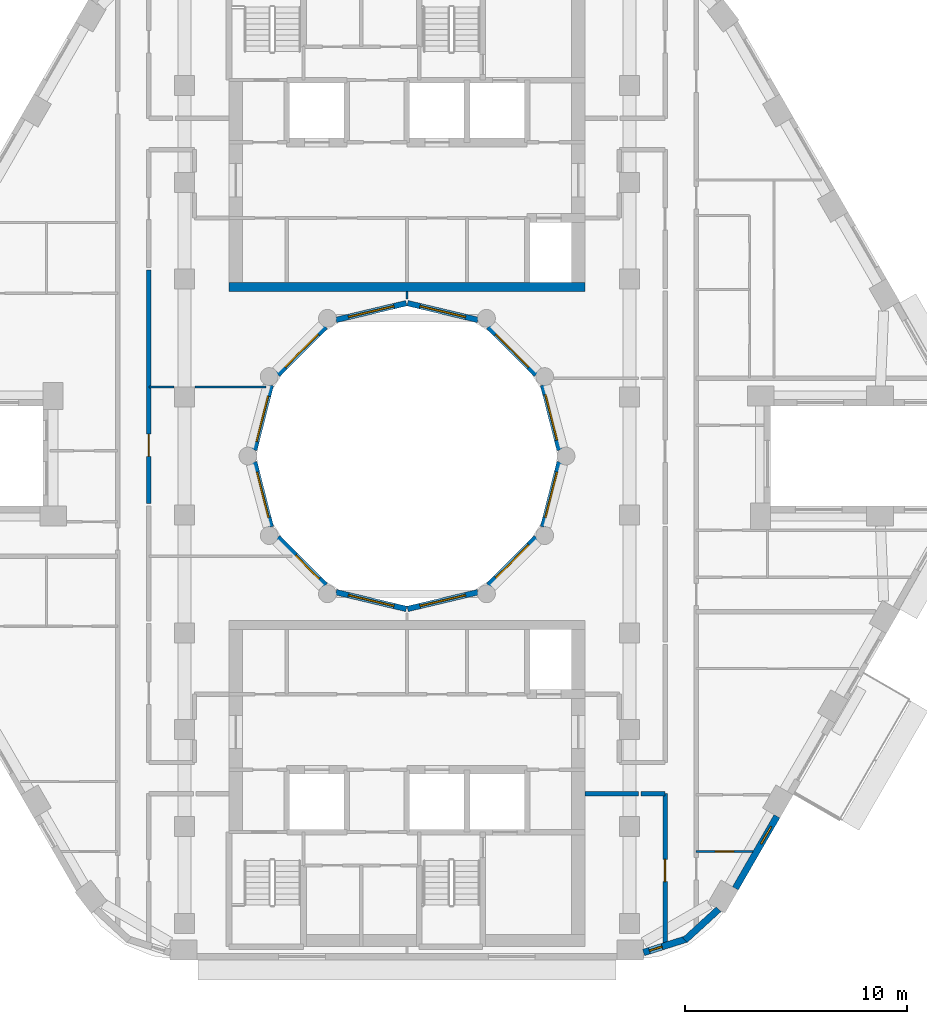
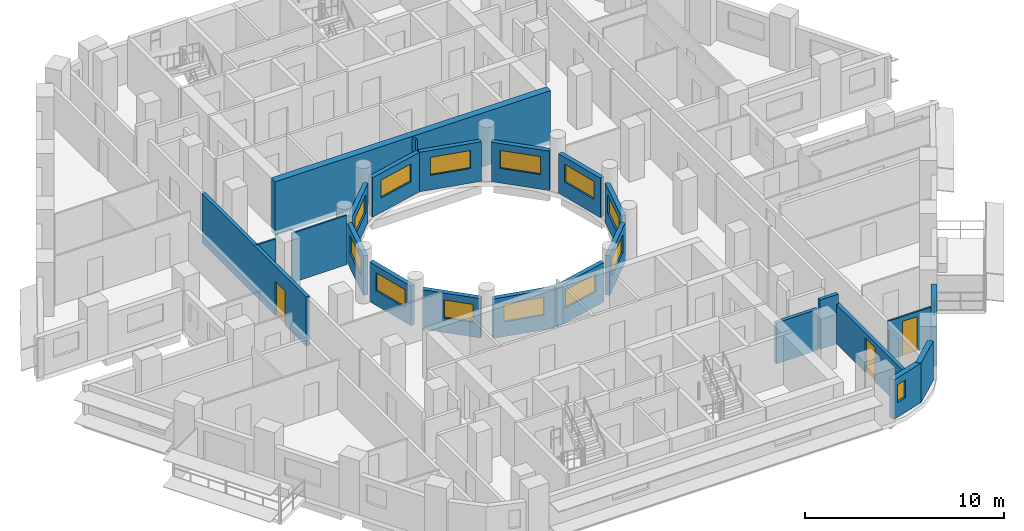
# One storey, part 5 of 16: 24 walls, 14 windows, 3 doors, 17 openings.
"""IFC4 building model written with IfcOpenShell, lengths in metres."""

from ifc_helpers import new_model, si_unit, direction, frame, frame_2d, origin, place, context, subcontext, project, spatial, rectangle, extrude, material, layer, layer_set, type_object, element, fill, save


model = new_model("IFC4")

# Units and contexts
model_context = context("Model", 3, precision=1e-05, world=origin(), true_north=direction((0.0, 1.0)))
body_context = subcontext(model_context, "Body", "Model", "MODEL_VIEW")
ifc_project = project(units=[si_unit("LENGTHUNIT", "METRE"), si_unit("AREAUNIT", "SQUARE_METRE"), si_unit("VOLUMEUNIT", "CUBIC_METRE"), si_unit("PLANEANGLEUNIT", "RADIAN"), si_unit("MASSUNIT", "GRAM", prefix="KILO")], contexts=[model_context])

# Site, building, storey
site_placement = place(None, origin())
site = spatial("IfcSite", under=ifc_project, at=site_placement, CompositionType="ELEMENT")
building_placement = place(site_placement, origin())
building = spatial("IfcBuilding", under=site, at=building_placement, Name="Nakaniwa Court", CompositionType="ELEMENT")
storey_placement = place(building_placement, frame((0.0, 0.0, 196.5)))
storey = spatial("IfcBuildingStorey", under=building, at=storey_placement, Name="L51", CompositionType="ELEMENT", Elevation=196.5)

# Wall, opening, door
ifc_material_1 = material(Name="Acoustic double stud partition")
ifc_layer_1 = layer(ifc_material_1, 0.199951171875)
ifc_layer_set_1 = layer_set([ifc_layer_1], Name="Acoustic double stud partition")
wall_type_1 = type_object("IfcWallType", Name="Acoustic double stud partition 200", PredefinedType="PARTITIONING", material=ifc_layer_set_1)
wall_1_placement = place(storey_placement, frame((91.60009765625, 57.92626953125, 0.0), z_axis=(0.0, 0.0, 1.0), x_axis=(0.0, 1.0, 0.0)))
wall_1 = element("IfcWall", 1, at=wall_1_placement, inside=storey, type_object=wall_type_1, Name="Partition PW-069", PredefinedType="PARTITIONING", context=body_context, shape_type="SweptSolid", body=[
    extrude(rectangle(XDim=6.898681640625, YDim=0.199951171875, at=frame_2d((3.44921875, 0.0))), origin(), (0.0, 0.0, 1.0), 2.405029296875),
])
opening_1_placement = place(wall_1_placement, frame((2.948974609375, 0.0, 0.0)))
opening_1 = element("IfcOpeningElement", 2, at=opening_1_placement, cuts=wall_1, Name="Opening D-02-01", PredefinedType="OPENING", context=body_context, shape_type="SweptSolid", body=[
    extrude(rectangle(XDim=1.0, YDim=2.10009765625, at=frame_2d((0.5, 1.050048828125))), frame((0.0, 0.10986328125, 0.0), z_axis=(0.0, -1.0, 0.0), x_axis=(1.0, 0.0, 0.0)), (0.0, 0.0, 1.0), 0.219970703125),
])
ifc_material_2 = material(Name="Solid core timber door set, black veneer", Category="wood")
door_type_1 = type_object("IfcDoorType", Name="Internal door 1000", OperationType="NOTDEFINED", PredefinedType="DOOR", material=ifc_material_2)
door_1_placement = place(opening_1_placement, origin())
door_1 = element("IfcDoor", 3, at=door_1_placement, inside=storey, type_object=door_type_1, Name="Door D-02-01 L51-025", OperationType="SINGLE_SWING_RIGHT", OverallHeight=2.10009765625, OverallWidth=1.0, PredefinedType="DOOR", context=body_context, shape_type="SweptSolid", body=[
    extrude(rectangle(XDim=1.0, YDim=2.10009765625, at=frame_2d((0.5, 1.050048828125))), frame((0.0, 0.02490234375, 0.0), z_axis=(0.0, -1.0, 0.0), x_axis=(1.0, 0.0, 0.0)), (0.0, 0.0, 1.0), 0.050048828125),
])
fill(opening_1, door_1)

# Walls
wall_2_placement = place(storey_placement, frame((88.0, 64.824951171875, 0.0), z_axis=(0.0, 0.0, 1.0), x_axis=(1.0, 0.0, 0.0)))
element("IfcWall", 4, at=wall_2_placement, inside=storey, type_object=wall_type_1, Name="Partition PW-077", PredefinedType="PARTITIONING", context=body_context, shape_type="SweptSolid", body=[
    extrude(rectangle(XDim=2.412841796875, YDim=0.199951171875, at=frame_2d((1.20654296875, 0.0))), origin(), (0.0, 0.0, 1.0), 2.5048828125),
])
wall_3_placement = place(storey_placement, frame((90.527099609375, 64.824951171875, 0.0), z_axis=(0.0, 0.0, 1.0), x_axis=(1.0, 0.0, 0.0)))
element("IfcWall", 5, at=wall_3_placement, inside=storey, type_object=wall_type_1, Name="Partition PW-078", PredefinedType="PARTITIONING", context=body_context, shape_type="SweptSolid", body=[
    extrude(rectangle(XDim=1.072998046875, YDim=0.199951171875, at=frame_2d((0.53662109375, 0.0))), origin(), (0.0, 0.0, 1.0), 3.02490234375),
])

# Wall, opening, door
wall_4_placement = place(storey_placement, frame((68.39990234375, 88.36279296875, 0.0), z_axis=(0.0, 0.0, 1.0), x_axis=(0.0, -1.0, 0.0)))
wall_4 = element("IfcWall", 6, at=wall_4_placement, inside=storey, type_object=wall_type_1, Name="Partition PW-099", PredefinedType="PARTITIONING", context=body_context, shape_type="SweptSolid", body=[
    extrude(rectangle(XDim=10.485595703125, YDim=0.199951171875, at=frame_2d((5.24267578125, 0.0))), origin(), (0.0, 0.0, 1.0), 3.02490234375),
])
opening_2_placement = place(wall_4_placement, frame((7.373046875, 0.0, 0.0)))
opening_2 = element("IfcOpeningElement", 7, at=opening_2_placement, cuts=wall_4, Name="Opening D-02-09", PredefinedType="OPENING", context=body_context, shape_type="SweptSolid", body=[
    extrude(rectangle(XDim=1.0, YDim=2.10009765625, at=frame_2d((0.5, 1.050048828125))), frame((0.0, 0.10986328125, 0.0), z_axis=(0.0, -1.0, 0.0), x_axis=(1.0, 0.0, 0.0)), (0.0, 0.0, 1.0), 0.219970703125),
])
door_2_placement = place(opening_2_placement, origin())
door_2 = element("IfcDoor", 8, at=door_2_placement, inside=storey, type_object=door_type_1, Name="Door D-02-09 L51-056", OperationType="SINGLE_SWING_LEFT", OverallHeight=2.10009765625, OverallWidth=1.0, PredefinedType="DOOR", context=body_context, shape_type="SweptSolid", body=[
    extrude(rectangle(XDim=1.0, YDim=2.10009765625, at=frame_2d((0.5, 1.050048828125))), frame((0.0, 0.02490234375, 0.0), z_axis=(0.0, -1.0, 0.0), x_axis=(1.0, 0.0, 0.0)), (0.0, 0.0, 1.0), 0.050048828125),
])
fill(opening_2, door_2)

# Wall, opening, window
ifc_material_3 = material(Name="Charcoal ceramic cladding")
ifc_layer_2 = layer(ifc_material_3, 0.02, Name="Ceramic cladding")
ifc_material_4 = material(Name="Ventilated air cavity")
ifc_layer_3 = layer(ifc_material_4, 0.04, ventilated=True, Name="Ventilated cavity")
ifc_material_5 = material(Name="Mineral wool insulation")
ifc_layer_4 = layer(ifc_material_5, 0.1, Name="Insulation")
ifc_material_6 = material(Name="Cement bonded sheathing board")
ifc_layer_5 = layer(ifc_material_6, 0.012, Name="Sheathing")
ifc_material_7 = material(Name="Cold-formed galvanised stud frame with mineral wool infill")
ifc_layer_6 = layer(ifc_material_7, 0.1, Name="Stud frame")
ifc_material_8 = material(Name="Fire-rated gypsum plasterboard lining")
ifc_layer_7 = layer(ifc_material_8, 0.028, Name="Lining")
ifc_layer_set_2 = layer_set([ifc_layer_2, ifc_layer_3, ifc_layer_4, ifc_layer_5, ifc_layer_6, ifc_layer_7], Name="Charcoal ceramic faced external wall system")
wall_type_2 = type_object("IfcWallType", Name="Black ceramic faced external wall 300", PredefinedType="SOLIDWALL", material=ifc_layer_set_2)
wall_5_placement = place(storey_placement, frame((90.6357421875, 57.684814453125, 0.0), z_axis=(0.0, 0.0, 1.0), x_axis=(0.95368324118, 0.300812691707, 0.0)))
wall_5 = element("IfcWall", 9, at=wall_5_placement, inside=storey, type_object=wall_type_2, Name="L51 external wall 27", PredefinedType="SOLIDWALL", context=body_context, shape_type="SweptSolid", body=[
    extrude(rectangle(XDim=2.053466796875, YDim=0.300048828125, at=frame_2d((1.02685546875, 0.0))), origin(), (0.0, 0.0, 1.0), 2.425048828125),
])
opening_3_placement = place(wall_5_placement, frame((0.271240234375, 0.0, 0.89990234375)))
opening_3 = element("IfcOpeningElement", 10, at=opening_3_placement, cuts=wall_5, Name="Opening W8.28", PredefinedType="OPENING", context=body_context, shape_type="SweptSolid", body=[
    extrude(rectangle(XDim=0.60009765625, YDim=1.10009765625, at=frame_2d((0.300048828125, 0.550048828125))), frame((0.0, 0.159912109375, 0.0), z_axis=(0.0, -1.0, 0.0), x_axis=(1.0, 0.0, 0.0)), (0.0, 0.0, 1.0), 0.320068359375),
])
ifc_material_9 = material(Name="Black anodised aluminium frame with dark low-E laminated double glazing", Category="aluminium")
window_type_1 = type_object("IfcWindowType", Name="Dark glass window 600x1100 sill 900", PartitioningType="SINGLE_PANEL", PredefinedType="WINDOW", material=ifc_material_9)
window_1_placement = place(opening_3_placement, origin())
window_1 = element("IfcWindow", 11, at=window_1_placement, inside=storey, type_object=window_type_1, Name="L51 habitable room window 27-0", OverallHeight=1.10009765625, OverallWidth=0.60009765625, PartitioningType="SINGLE_PANEL", PredefinedType="WINDOW", context=body_context, shape_type="SweptSolid", body=[
    extrude(rectangle(XDim=0.60009765625, YDim=1.10009765625, at=frame_2d((0.300048828125, 0.550048828125))), frame((0.0, 0.030029296875, 0.0), z_axis=(0.0, -1.0, 0.0), x_axis=(1.0, 0.0, 0.0)), (0.0, 0.0, 1.0), 0.06005859375),
])
fill(opening_3, window_1)

# Wall
wall_6_placement = place(storey_placement, frame((92.494140625, 58.243896484375, 0.0), z_axis=(0.0, 0.0, 1.0), x_axis=(0.73764876128, 0.675184645102, 0.0)))
element("IfcWall", 12, at=wall_6_placement, inside=storey, type_object=wall_type_2, Name="L51 external wall 28", PredefinedType="SOLIDWALL", context=body_context, shape_type="SweptSolid", body=[
    extrude(rectangle(XDim=2.048095703125, YDim=0.300048828125, at=frame_2d((1.02392578125, 0.0))), origin(), (0.0, 0.0, 1.0), 2.425048828125),
])

# Wall, opening, window
wall_7_placement = place(storey_placement, frame((94.760986328125, 60.566650390625, 0.0), z_axis=(0.0, 0.0, 1.0), x_axis=(0.499982088007, 0.866035745032, 0.0)))
wall_7 = element("IfcWall", 13, at=wall_7_placement, inside=storey, type_object=wall_type_2, Name="L51 external wall 29", PredefinedType="SOLIDWALL", context=body_context, shape_type="SweptSolid", body=[
    extrude(rectangle(XDim=3.744384765625, YDim=0.300048828125, at=frame_2d((1.8720703125, 0.0))), origin(), (0.0, 0.0, 1.0), 2.425048828125),
])
opening_4_placement = place(wall_7_placement, frame((2.318603515625, 0.0, 1.5)))
opening_4 = element("IfcOpeningElement", 14, at=opening_4_placement, cuts=wall_7, Name="Opening W10.29", PredefinedType="OPENING", context=body_context, shape_type="SweptSolid", body=[
    extrude(rectangle(XDim=0.89990234375, YDim=0.5, at=frame_2d((0.449951171875, 0.25))), frame((0.0, 0.159912109375, 0.0), z_axis=(0.0, -1.0, 0.0), x_axis=(1.0, 0.0, 0.0)), (0.0, 0.0, 1.0), 0.320068359375),
])
window_type_2 = type_object("IfcWindowType", Name="Dark glass window 900x500 sill 1500", PartitioningType="SINGLE_PANEL", PredefinedType="WINDOW", material=ifc_material_9)
window_2_placement = place(opening_4_placement, origin())
window_2 = element("IfcWindow", 15, at=window_2_placement, inside=storey, type_object=window_type_2, Name="L51 bathroom window 29-1", OverallHeight=0.5, OverallWidth=0.89990234375, PartitioningType="SINGLE_PANEL", PredefinedType="WINDOW", context=body_context, shape_type="SweptSolid", body=[
    extrude(rectangle(XDim=0.89990234375, YDim=0.5, at=frame_2d((0.449951171875, 0.25))), frame((0.0, 0.030029296875, 0.0), z_axis=(0.0, -1.0, 0.0), x_axis=(1.0, 0.0, 0.0)), (0.0, 0.0, 1.0), 0.06005859375),
])
fill(opening_4, window_2)

ifc_layer_8 = layer(ifc_material_3, 0.02, Name="Ceramic cladding")
ifc_layer_9 = layer(ifc_material_4, 0.04, ventilated=True, Name="Ventilated cavity")
ifc_layer_10 = layer(ifc_material_5, 0.075, Name="Insulation")
ifc_layer_11 = layer(ifc_material_6, 0.012, Name="Sheathing")
ifc_layer_12 = layer(ifc_material_7, 0.075, Name="Stud frame")
ifc_layer_13 = layer(ifc_material_8, 0.028, Name="Lining")
ifc_layer_set_3 = layer_set([ifc_layer_8, ifc_layer_9, ifc_layer_10, ifc_layer_11, ifc_layer_12, ifc_layer_13], Name="Charcoal ceramic faced external wall system")
wall_type_3 = type_object("IfcWallType", Name="Charcoal ceramic faced well wall 250", PredefinedType="SOLIDWALL", material=ifc_layer_set_3)
wall_8_placement = place(storey_placement, frame((86.8603515625, 79.72998046875, 0.0), z_axis=(0.0, 0.0, 1.0), x_axis=(-0.247055971283, -0.969001211069, 0.0)))
wall_8 = element("IfcWall", 16, at=wall_8_placement, inside=storey, type_object=wall_type_3, Name="L51 external wall 36", PredefinedType="SOLIDWALL", context=body_context, shape_type="SweptSolid", body=[
    extrude(rectangle(XDim=3.010009765625, YDim=0.25, at=frame_2d((1.5048828125, 0.0))), origin(), (0.0, 0.0, 1.0), 2.425048828125),
])
opening_5_placement = place(wall_8_placement, frame((0.46875, 0.0, 0.89990234375)))
opening_5 = element("IfcOpeningElement", 17, at=opening_5_placement, cuts=wall_8, Name="Opening W7.36", PredefinedType="OPENING", context=body_context, shape_type="SweptSolid", body=[
    extrude(rectangle(XDim=2.10009765625, YDim=1.10009765625, at=frame_2d((1.050048828125, 0.550048828125))), frame((0.0, 0.135009765625, 0.0), z_axis=(0.0, -1.0, 0.0), x_axis=(1.0, 0.0, 0.0)), (0.0, 0.0, 1.0), 0.27001953125),
])
window_type_3 = type_object("IfcWindowType", Name="Dark glass window 2100x1100 sill 900", PartitioningType="SINGLE_PANEL", PredefinedType="WINDOW", material=ifc_material_9)
window_3_placement = place(opening_5_placement, origin())
window_3 = element("IfcWindow", 18, at=window_3_placement, inside=storey, type_object=window_type_3, Name="L51 habitable room window 36-0", OverallHeight=1.10009765625, OverallWidth=2.10009765625, PartitioningType="SINGLE_PANEL", PredefinedType="WINDOW", context=body_context, shape_type="SweptSolid", body=[
    extrude(rectangle(XDim=2.10009765625, YDim=1.10009765625, at=frame_2d((1.050048828125, 0.550048828125))), frame((0.0, 0.030029296875, 0.0), z_axis=(0.0, -1.0, 0.0), x_axis=(1.0, 0.0, 0.0)), (0.0, 0.0, 1.0), 0.06005859375),
])
fill(opening_5, window_3)

wall_9_placement = place(storey_placement, frame((85.8056640625, 76.339111328125, 0.0), z_axis=(0.0, 0.0, 1.0), x_axis=(-0.707106781187, -0.707106781187, 0.0)))
wall_9 = element("IfcWall", 19, at=wall_9_placement, inside=storey, type_object=wall_type_3, Name="L51 external wall 37", PredefinedType="SOLIDWALL", context=body_context, shape_type="SweptSolid", body=[
    extrude(rectangle(XDim=3.033203125, YDim=0.25, at=frame_2d((1.5166015625, 0.0))), origin(), (0.0, 0.0, 1.0), 2.425048828125),
])
opening_6_placement = place(wall_9_placement, frame((0.466552734375, 0.0, 0.89990234375)))
opening_6 = element("IfcOpeningElement", 20, at=opening_6_placement, cuts=wall_9, Name="Opening W7.37", PredefinedType="OPENING", context=body_context, shape_type="SweptSolid", body=[
    extrude(rectangle(XDim=2.10009765625, YDim=1.10009765625, at=frame_2d((1.050048828125, 0.550048828125))), frame((0.0, 0.135009765625, 0.0), z_axis=(0.0, -1.0, 0.0), x_axis=(1.0, 0.0, 0.0)), (0.0, 0.0, 1.0), 0.27001953125),
])
window_4_placement = place(opening_6_placement, origin())
window_4 = element("IfcWindow", 21, at=window_4_placement, inside=storey, type_object=window_type_3, Name="L51 habitable room window 37-0", OverallHeight=1.10009765625, OverallWidth=2.10009765625, PartitioningType="SINGLE_PANEL", PredefinedType="WINDOW", context=body_context, shape_type="SweptSolid", body=[
    extrude(rectangle(XDim=2.10009765625, YDim=1.10009765625, at=frame_2d((1.050048828125, 0.550048828125))), frame((0.0, 0.030029296875, 0.0), z_axis=(0.0, -1.0, 0.0), x_axis=(1.0, 0.0, 0.0)), (0.0, 0.0, 1.0), 0.06005859375),
])
fill(opening_6, window_4)

wall_10_placement = place(storey_placement, frame((83.186279296875, 73.880615234375, 0.0), z_axis=(0.0, 0.0, 1.0), x_axis=(-0.972773113459, -0.231759508395, 0.0)))
wall_10 = element("IfcWall", 22, at=wall_10_placement, inside=storey, type_object=wall_type_3, Name="L51 external wall 38", PredefinedType="SOLIDWALL", context=body_context, shape_type="SweptSolid", body=[
    extrude(rectangle(XDim=3.24560546875, YDim=0.25, at=frame_2d((1.622802734375, 0.0))), origin(), (0.0, 0.0, 1.0), 2.425048828125),
])
opening_7_placement = place(wall_10_placement, frame((0.57275390625, 0.0, 0.89990234375)))
opening_7 = element("IfcOpeningElement", 23, at=opening_7_placement, cuts=wall_10, Name="Opening W7.38", PredefinedType="OPENING", context=body_context, shape_type="SweptSolid", body=[
    extrude(rectangle(XDim=2.10009765625, YDim=1.10009765625, at=frame_2d((1.050048828125, 0.550048828125))), frame((0.0, 0.135009765625, 0.0), z_axis=(0.0, -1.0, 0.0), x_axis=(1.0, 0.0, 0.0)), (0.0, 0.0, 1.0), 0.27001953125),
])
window_5_placement = place(opening_7_placement, origin())
window_5 = element("IfcWindow", 24, at=window_5_placement, inside=storey, type_object=window_type_3, Name="L51 habitable room window 38-0", OverallHeight=1.10009765625, OverallWidth=2.10009765625, PartitioningType="SINGLE_PANEL", PredefinedType="WINDOW", context=body_context, shape_type="SweptSolid", body=[
    extrude(rectangle(XDim=2.10009765625, YDim=1.10009765625, at=frame_2d((1.050048828125, 0.550048828125))), frame((0.0, 0.030029296875, 0.0), z_axis=(0.0, -1.0, 0.0), x_axis=(1.0, 0.0, 0.0)), (0.0, 0.0, 1.0), 0.06005859375),
])
fill(opening_7, window_5)

wall_11_placement = place(storey_placement, frame((79.970947265625, 73.12841796875, 0.0), z_axis=(0.0, 0.0, 1.0), x_axis=(-0.972773113459, 0.231759508395, 0.0)))
wall_11 = element("IfcWall", 25, at=wall_11_placement, inside=storey, type_object=wall_type_3, Name="L51 external wall 39", PredefinedType="SOLIDWALL", context=body_context, shape_type="SweptSolid", body=[
    extrude(rectangle(XDim=3.24560546875, YDim=0.25, at=frame_2d((1.622802734375, 0.0))), origin(), (0.0, 0.0, 1.0), 2.425048828125),
])
opening_8_placement = place(wall_11_placement, frame((0.57275390625, 0.0, 0.89990234375)))
opening_8 = element("IfcOpeningElement", 26, at=opening_8_placement, cuts=wall_11, Name="Opening W7.39", PredefinedType="OPENING", context=body_context, shape_type="SweptSolid", body=[
    extrude(rectangle(XDim=2.10009765625, YDim=1.10009765625, at=frame_2d((1.050048828125, 0.550048828125))), frame((0.0, 0.135009765625, 0.0), z_axis=(0.0, -1.0, 0.0), x_axis=(1.0, 0.0, 0.0)), (0.0, 0.0, 1.0), 0.27001953125),
])
window_6_placement = place(opening_8_placement, origin())
window_6 = element("IfcWindow", 27, at=window_6_placement, inside=storey, type_object=window_type_3, Name="L51 habitable room window 39-0", OverallHeight=1.10009765625, OverallWidth=2.10009765625, PartitioningType="SINGLE_PANEL", PredefinedType="WINDOW", context=body_context, shape_type="SweptSolid", body=[
    extrude(rectangle(XDim=2.10009765625, YDim=1.10009765625, at=frame_2d((1.050048828125, 0.550048828125))), frame((0.0, 0.030029296875, 0.0), z_axis=(0.0, -1.0, 0.0), x_axis=(1.0, 0.0, 0.0)), (0.0, 0.0, 1.0), 0.06005859375),
])
fill(opening_8, window_6)

wall_12_placement = place(storey_placement, frame((76.339111328125, 74.1943359375, 0.0), z_axis=(0.0, 0.0, 1.0), x_axis=(-0.707106781187, 0.707106781187, 0.0)))
wall_12 = element("IfcWall", 28, at=wall_12_placement, inside=storey, type_object=wall_type_3, Name="L51 external wall 40", PredefinedType="SOLIDWALL", context=body_context, shape_type="SweptSolid", body=[
    extrude(rectangle(XDim=3.033203125, YDim=0.25, at=frame_2d((1.5166015625, 0.0))), origin(), (0.0, 0.0, 1.0), 2.425048828125),
])
opening_9_placement = place(wall_12_placement, frame((0.398681640625, 0.0, 0.89990234375)))
opening_9 = element("IfcOpeningElement", 29, at=opening_9_placement, cuts=wall_12, Name="Opening W5.40", PredefinedType="OPENING", context=body_context, shape_type="SweptSolid", body=[
    extrude(rectangle(XDim=1.5, YDim=1.10009765625, at=frame_2d((0.75, 0.550048828125))), frame((0.0, 0.135009765625, 0.0), z_axis=(0.0, -1.0, 0.0), x_axis=(1.0, 0.0, 0.0)), (0.0, 0.0, 1.0), 0.27001953125),
])
window_type_4 = type_object("IfcWindowType", Name="Dark glass window 1500x1100 sill 900", PartitioningType="SINGLE_PANEL", PredefinedType="WINDOW", material=ifc_material_9)
window_7_placement = place(opening_9_placement, origin())
window_7 = element("IfcWindow", 30, at=window_7_placement, inside=storey, type_object=window_type_4, Name="L51 habitable room window 40-0", OverallHeight=1.10009765625, OverallWidth=1.5, PartitioningType="SINGLE_PANEL", PredefinedType="WINDOW", context=body_context, shape_type="SweptSolid", body=[
    extrude(rectangle(XDim=1.5, YDim=1.10009765625, at=frame_2d((0.75, 0.550048828125))), frame((0.0, 0.030029296875, 0.0), z_axis=(0.0, -1.0, 0.0), x_axis=(1.0, 0.0, 0.0)), (0.0, 0.0, 1.0), 0.06005859375),
])
fill(opening_9, window_7)

wall_13_placement = place(storey_placement, frame((73.88330078125, 76.813232421875, 0.0), z_axis=(0.0, 0.0, 1.0), x_axis=(-0.247055971283, 0.969001211069, 0.0)))
wall_13 = element("IfcWall", 31, at=wall_13_placement, inside=storey, type_object=wall_type_3, Name="L51 external wall 41", PredefinedType="SOLIDWALL", context=body_context, shape_type="SweptSolid", body=[
    extrude(rectangle(XDim=3.010009765625, YDim=0.25, at=frame_2d((1.5048828125, 0.0))), origin(), (0.0, 0.0, 1.0), 2.425048828125),
])
opening_10_placement = place(wall_13_placement, frame((0.441162109375, 0.0, 0.89990234375)))
opening_10 = element("IfcOpeningElement", 32, at=opening_10_placement, cuts=wall_13, Name="Opening W7.41", PredefinedType="OPENING", context=body_context, shape_type="SweptSolid", body=[
    extrude(rectangle(XDim=2.10009765625, YDim=1.10009765625, at=frame_2d((1.050048828125, 0.550048828125))), frame((0.0, 0.135009765625, 0.0), z_axis=(0.0, -1.0, 0.0), x_axis=(1.0, 0.0, 0.0)), (0.0, 0.0, 1.0), 0.27001953125),
])
window_8_placement = place(opening_10_placement, origin())
window_8 = element("IfcWindow", 33, at=window_8_placement, inside=storey, type_object=window_type_3, Name="L51 habitable room window 41-0", OverallHeight=1.10009765625, OverallWidth=2.10009765625, PartitioningType="SINGLE_PANEL", PredefinedType="WINDOW", context=body_context, shape_type="SweptSolid", body=[
    extrude(rectangle(XDim=2.10009765625, YDim=1.10009765625, at=frame_2d((1.050048828125, 0.550048828125))), frame((0.0, 0.030029296875, 0.0), z_axis=(0.0, -1.0, 0.0), x_axis=(1.0, 0.0, 0.0)), (0.0, 0.0, 1.0), 0.06005859375),
])
fill(opening_10, window_8)

wall_14_placement = place(storey_placement, frame((73.1396484375, 80.27001953125, 0.0), z_axis=(0.0, 0.0, 1.0), x_axis=(0.247055971283, 0.969001211069, 0.0)))
wall_14 = element("IfcWall", 34, at=wall_14_placement, inside=storey, type_object=wall_type_3, Name="L51 external wall 42", PredefinedType="SOLIDWALL", context=body_context, shape_type="SweptSolid", body=[
    extrude(rectangle(XDim=3.010009765625, YDim=0.25, at=frame_2d((1.5048828125, 0.0))), origin(), (0.0, 0.0, 1.0), 2.425048828125),
])
opening_11_placement = place(wall_14_placement, frame((0.400634765625, 0.0, 0.89990234375)))
opening_11 = element("IfcOpeningElement", 35, at=opening_11_placement, cuts=wall_14, Name="Opening W7.42", PredefinedType="OPENING", context=body_context, shape_type="SweptSolid", body=[
    extrude(rectangle(XDim=2.10009765625, YDim=1.10009765625, at=frame_2d((1.050048828125, 0.550048828125))), frame((0.0, 0.135009765625, 0.0), z_axis=(0.0, -1.0, 0.0), x_axis=(1.0, 0.0, 0.0)), (0.0, 0.0, 1.0), 0.27001953125),
])
window_9_placement = place(opening_11_placement, origin())
window_9 = element("IfcWindow", 36, at=window_9_placement, inside=storey, type_object=window_type_3, Name="L51 habitable room window 42-0", OverallHeight=1.10009765625, OverallWidth=2.10009765625, PartitioningType="SINGLE_PANEL", PredefinedType="WINDOW", context=body_context, shape_type="SweptSolid", body=[
    extrude(rectangle(XDim=2.10009765625, YDim=1.10009765625, at=frame_2d((1.050048828125, 0.550048828125))), frame((0.0, 0.030029296875, 0.0), z_axis=(0.0, -1.0, 0.0), x_axis=(1.0, 0.0, 0.0)), (0.0, 0.0, 1.0), 0.06005859375),
])
fill(opening_11, window_9)

wall_15_placement = place(storey_placement, frame((74.1943359375, 83.660888671875, 0.0), z_axis=(0.0, 0.0, 1.0), x_axis=(0.707106781187, 0.707106781187, 0.0)))
wall_15 = element("IfcWall", 37, at=wall_15_placement, inside=storey, type_object=wall_type_3, Name="L51 external wall 43", PredefinedType="SOLIDWALL", context=body_context, shape_type="SweptSolid", body=[
    extrude(rectangle(XDim=3.033203125, YDim=0.25, at=frame_2d((1.5166015625, 0.0))), origin(), (0.0, 0.0, 1.0), 2.425048828125),
])
opening_12_placement = place(wall_15_placement, frame((0.466552734375, 0.0, 0.89990234375)))
opening_12 = element("IfcOpeningElement", 38, at=opening_12_placement, cuts=wall_15, Name="Opening W7.43", PredefinedType="OPENING", context=body_context, shape_type="SweptSolid", body=[
    extrude(rectangle(XDim=2.10009765625, YDim=1.10009765625, at=frame_2d((1.050048828125, 0.550048828125))), frame((0.0, 0.135009765625, 0.0), z_axis=(0.0, -1.0, 0.0), x_axis=(1.0, 0.0, 0.0)), (0.0, 0.0, 1.0), 0.27001953125),
])
window_10_placement = place(opening_12_placement, origin())
window_10 = element("IfcWindow", 39, at=window_10_placement, inside=storey, type_object=window_type_3, Name="L51 habitable room window 43-0", OverallHeight=1.10009765625, OverallWidth=2.10009765625, PartitioningType="SINGLE_PANEL", PredefinedType="WINDOW", context=body_context, shape_type="SweptSolid", body=[
    extrude(rectangle(XDim=2.10009765625, YDim=1.10009765625, at=frame_2d((1.050048828125, 0.550048828125))), frame((0.0, 0.030029296875, 0.0), z_axis=(0.0, -1.0, 0.0), x_axis=(1.0, 0.0, 0.0)), (0.0, 0.0, 1.0), 0.06005859375),
])
fill(opening_12, window_10)

wall_16_placement = place(storey_placement, frame((76.813720703125, 86.119384765625, 0.0), z_axis=(0.0, 0.0, 1.0), x_axis=(0.972773113459, 0.231759508395, 0.0)))
wall_16 = element("IfcWall", 40, at=wall_16_placement, inside=storey, type_object=wall_type_3, Name="L51 external wall 44", PredefinedType="SOLIDWALL", context=body_context, shape_type="SweptSolid", body=[
    extrude(rectangle(XDim=3.24560546875, YDim=0.25, at=frame_2d((1.622802734375, 0.0))), origin(), (0.0, 0.0, 1.0), 2.425048828125),
])
opening_13_placement = place(wall_16_placement, frame((0.57275390625, 0.0, 0.89990234375)))
opening_13 = element("IfcOpeningElement", 41, at=opening_13_placement, cuts=wall_16, Name="Opening W7.44", PredefinedType="OPENING", context=body_context, shape_type="SweptSolid", body=[
    extrude(rectangle(XDim=2.10009765625, YDim=1.10009765625, at=frame_2d((1.050048828125, 0.550048828125))), frame((0.0, 0.135009765625, 0.0), z_axis=(0.0, -1.0, 0.0), x_axis=(1.0, 0.0, 0.0)), (0.0, 0.0, 1.0), 0.27001953125),
])
window_11_placement = place(opening_13_placement, origin())
window_11 = element("IfcWindow", 42, at=window_11_placement, inside=storey, type_object=window_type_3, Name="L51 habitable room window 44-0", OverallHeight=1.10009765625, OverallWidth=2.10009765625, PartitioningType="SINGLE_PANEL", PredefinedType="WINDOW", context=body_context, shape_type="SweptSolid", body=[
    extrude(rectangle(XDim=2.10009765625, YDim=1.10009765625, at=frame_2d((1.050048828125, 0.550048828125))), frame((0.0, 0.030029296875, 0.0), z_axis=(0.0, -1.0, 0.0), x_axis=(1.0, 0.0, 0.0)), (0.0, 0.0, 1.0), 0.06005859375),
])
fill(opening_13, window_11)

wall_17_placement = place(storey_placement, frame((80.029052734375, 86.87158203125, 0.0), z_axis=(0.0, 0.0, 1.0), x_axis=(0.972773113459, -0.231759508395, 0.0)))
wall_17 = element("IfcWall", 43, at=wall_17_placement, inside=storey, type_object=wall_type_3, Name="L51 external wall 45", PredefinedType="SOLIDWALL", context=body_context, shape_type="SweptSolid", body=[
    extrude(rectangle(XDim=3.24560546875, YDim=0.25, at=frame_2d((1.622802734375, 0.0))), origin(), (0.0, 0.0, 1.0), 2.425048828125),
])
opening_14_placement = place(wall_17_placement, frame((0.57275390625, 0.0, 0.89990234375)))
opening_14 = element("IfcOpeningElement", 44, at=opening_14_placement, cuts=wall_17, Name="Opening W7.45", PredefinedType="OPENING", context=body_context, shape_type="SweptSolid", body=[
    extrude(rectangle(XDim=2.10009765625, YDim=1.10009765625, at=frame_2d((1.050048828125, 0.550048828125))), frame((0.0, 0.135009765625, 0.0), z_axis=(0.0, -1.0, 0.0), x_axis=(1.0, 0.0, 0.0)), (0.0, 0.0, 1.0), 0.27001953125),
])
window_12_placement = place(opening_14_placement, origin())
window_12 = element("IfcWindow", 45, at=window_12_placement, inside=storey, type_object=window_type_3, Name="L51 habitable room window 45-0", OverallHeight=1.10009765625, OverallWidth=2.10009765625, PartitioningType="SINGLE_PANEL", PredefinedType="WINDOW", context=body_context, shape_type="SweptSolid", body=[
    extrude(rectangle(XDim=2.10009765625, YDim=1.10009765625, at=frame_2d((1.050048828125, 0.550048828125))), frame((0.0, 0.030029296875, 0.0), z_axis=(0.0, -1.0, 0.0), x_axis=(1.0, 0.0, 0.0)), (0.0, 0.0, 1.0), 0.06005859375),
])
fill(opening_14, window_12)

wall_18_placement = place(storey_placement, frame((83.660888671875, 85.8056640625, 0.0), z_axis=(0.0, 0.0, 1.0), x_axis=(0.707106781187, -0.707106781187, 0.0)))
wall_18 = element("IfcWall", 46, at=wall_18_placement, inside=storey, type_object=wall_type_3, Name="L51 external wall 46", PredefinedType="SOLIDWALL", context=body_context, shape_type="SweptSolid", body=[
    extrude(rectangle(XDim=3.033203125, YDim=0.25, at=frame_2d((1.5166015625, 0.0))), origin(), (0.0, 0.0, 1.0), 2.425048828125),
])
opening_15_placement = place(wall_18_placement, frame((0.466552734375, 0.0, 0.89990234375)))
opening_15 = element("IfcOpeningElement", 47, at=opening_15_placement, cuts=wall_18, Name="Opening W7.46", PredefinedType="OPENING", context=body_context, shape_type="SweptSolid", body=[
    extrude(rectangle(XDim=2.10009765625, YDim=1.10009765625, at=frame_2d((1.050048828125, 0.550048828125))), frame((0.0, 0.135009765625, 0.0), z_axis=(0.0, -1.0, 0.0), x_axis=(1.0, 0.0, 0.0)), (0.0, 0.0, 1.0), 0.27001953125),
])
window_13_placement = place(opening_15_placement, origin())
window_13 = element("IfcWindow", 48, at=window_13_placement, inside=storey, type_object=window_type_3, Name="L51 habitable room window 46-0", OverallHeight=1.10009765625, OverallWidth=2.10009765625, PartitioningType="SINGLE_PANEL", PredefinedType="WINDOW", context=body_context, shape_type="SweptSolid", body=[
    extrude(rectangle(XDim=2.10009765625, YDim=1.10009765625, at=frame_2d((1.050048828125, 0.550048828125))), frame((0.0, 0.030029296875, 0.0), z_axis=(0.0, -1.0, 0.0), x_axis=(1.0, 0.0, 0.0)), (0.0, 0.0, 1.0), 0.06005859375),
])
fill(opening_15, window_13)

wall_19_placement = place(storey_placement, frame((86.11669921875, 83.186767578125, 0.0), z_axis=(0.0, 0.0, 1.0), x_axis=(0.247055971283, -0.969001211069, 0.0)))
wall_19 = element("IfcWall", 49, at=wall_19_placement, inside=storey, type_object=wall_type_3, Name="L51 external wall 47", PredefinedType="SOLIDWALL", context=body_context, shape_type="SweptSolid", body=[
    extrude(rectangle(XDim=3.010009765625, YDim=0.25, at=frame_2d((1.5048828125, 0.0))), origin(), (0.0, 0.0, 1.0), 2.425048828125),
])
opening_16_placement = place(wall_19_placement, frame((0.441162109375, 0.0, 0.89990234375)))
opening_16 = element("IfcOpeningElement", 50, at=opening_16_placement, cuts=wall_19, Name="Opening W7.47", PredefinedType="OPENING", context=body_context, shape_type="SweptSolid", body=[
    extrude(rectangle(XDim=2.10009765625, YDim=1.10009765625, at=frame_2d((1.050048828125, 0.550048828125))), frame((0.0, 0.135009765625, 0.0), z_axis=(0.0, -1.0, 0.0), x_axis=(1.0, 0.0, 0.0)), (0.0, 0.0, 1.0), 0.27001953125),
])
window_14_placement = place(opening_16_placement, origin())
window_14 = element("IfcWindow", 51, at=window_14_placement, inside=storey, type_object=window_type_3, Name="L51 habitable room window 47-0", OverallHeight=1.10009765625, OverallWidth=2.10009765625, PartitioningType="SINGLE_PANEL", PredefinedType="WINDOW", context=body_context, shape_type="SweptSolid", body=[
    extrude(rectangle(XDim=2.10009765625, YDim=1.10009765625, at=frame_2d((1.050048828125, 0.550048828125))), frame((0.0, 0.030029296875, 0.0), z_axis=(0.0, -1.0, 0.0), x_axis=(1.0, 0.0, 0.0)), (0.0, 0.0, 1.0), 0.06005859375),
])
fill(opening_16, window_14)

# Walls
ifc_material_10 = material(Name="Concrete C80/100", Category="concrete")
ifc_layer_14 = layer(ifc_material_10, 0.39990234375)
ifc_layer_set_4 = layer_set([ifc_layer_14], Name="Concrete C80/100")
wall_type_4 = type_object("IfcWallType", Name="Concrete core well wall 400 C80", PredefinedType="SHEAR", material=ifc_layer_set_4)
wall_20_placement = place(storey_placement, frame((72.00390625, 87.60009765625, -0.27490234375), z_axis=(0.0, 0.0, 1.0), x_axis=(1.0, 0.0, 0.0)))
element("IfcWall", 52, at=wall_20_placement, inside=storey, type_object=wall_type_4, Name="Core wall SW-140", PredefinedType="SHEAR", context=body_context, shape_type="SweptSolid", body=[
    extrude(rectangle(XDim=15.9921875, YDim=0.39990234375, at=frame_2d((7.99609375, 0.0))), origin(), (0.0, 0.0, 1.0), 3.2998046875),
])
ifc_material_11 = material(Name="Single stud plasterboard partition")
ifc_layer_15 = layer(ifc_material_11, 0.10009765625)
ifc_layer_set_5 = layer_set([ifc_layer_15], Name="Single stud plasterboard partition")
wall_type_5 = type_object("IfcWallType", Name="Single stud plasterboard partition 100", PredefinedType="PARTITIONING", material=ifc_layer_set_5)
wall_21_placement = place(storey_placement, frame((80.0, 87.048095703125, 0.0), z_axis=(0.0, 0.0, 1.0), x_axis=(0.0, 1.0, 0.0)))
element("IfcWall", 53, at=wall_21_placement, inside=storey, type_object=wall_type_5, Name="Partition PW-109", PredefinedType="PARTITIONING", context=body_context, shape_type="SweptSolid", body=[
    extrude(rectangle(XDim=0.351806640625, YDim=0.10009765625, at=frame_2d((0.17578125, 0.0))), origin(), (0.0, 0.0, 1.0), 3.02490234375),
])

# Wall, opening, door
wall_22_placement = place(storey_placement, frame((93.0009765625, 62.22509765625, 0.0), z_axis=(0.0, 0.0, 1.0), x_axis=(1.0, 0.0, 0.0)))
wall_22 = element("IfcWall", 54, at=wall_22_placement, inside=storey, type_object=wall_type_5, Name="Partition PW-112", PredefinedType="PARTITIONING", context=body_context, shape_type="SweptSolid", body=[
    extrude(rectangle(XDim=2.544189453125, YDim=0.10009765625, at=frame_2d((1.27197265625, 0.0))), origin(), (0.0, 0.0, 1.0), 2.405029296875),
])
opening_17_placement = place(wall_22_placement, frame((0.846923828125, 0.0, 0.0)))
opening_17 = element("IfcOpeningElement", 55, at=opening_17_placement, cuts=wall_22, Name="Opening D-03-01", PredefinedType="OPENING", context=body_context, shape_type="SweptSolid", body=[
    extrude(rectangle(XDim=0.85009765625, YDim=2.10009765625, at=frame_2d((0.425048828125, 1.050048828125))), frame((0.0, 0.06005859375, 0.0), z_axis=(0.0, -1.0, 0.0), x_axis=(1.0, 0.0, 0.0)), (0.0, 0.0, 1.0), 0.1201171875),
])
ifc_material_12 = material(Name="Moisture sealed timber door set", Category="wood")
door_type_2 = type_object("IfcDoorType", Name="Bathroom door 850", OperationType="NOTDEFINED", PredefinedType="DOOR", material=ifc_material_12)
door_3_placement = place(opening_17_placement, origin())
door_3 = element("IfcDoor", 56, at=door_3_placement, inside=storey, type_object=door_type_2, Name="Door D-03-01 L51-027", OperationType="SINGLE_SWING_RIGHT", OverallHeight=2.10009765625, OverallWidth=0.85009765625, PredefinedType="DOOR", context=body_context, shape_type="SweptSolid", body=[
    extrude(rectangle(XDim=0.85009765625, YDim=2.10009765625, at=frame_2d((0.425048828125, 1.050048828125))), frame((0.0, 0.02490234375, 0.0), z_axis=(0.0, -1.0, 0.0), x_axis=(1.0, 0.0, 0.0)), (0.0, 0.0, 1.0), 0.050048828125),
])
fill(opening_17, door_3)

# Walls
wall_23_placement = place(storey_placement, frame((68.40087890625, 83.10009765625, 0.0), z_axis=(0.0, 0.0, 1.0), x_axis=(1.0, 0.0, 0.0)))
element("IfcWall", 57, at=wall_23_placement, inside=storey, type_object=wall_type_5, Name="Partition PW-138", PredefinedType="PARTITIONING", context=body_context, shape_type="SweptSolid", body=[
    extrude(rectangle(XDim=1.129150390625, YDim=0.10009765625, at=frame_2d((0.564453125, 0.0))), origin(), (0.0, 0.0, 1.0), 3.02490234375),
])
wall_24_placement = place(storey_placement, frame((70.469970703125, 83.10009765625, 0.0), z_axis=(0.0, 0.0, 1.0), x_axis=(1.0, 0.0, 0.0)))
element("IfcWall", 58, at=wall_24_placement, inside=storey, type_object=wall_type_5, Name="Partition PW-139", PredefinedType="PARTITIONING", context=body_context, shape_type="SweptSolid", body=[
    extrude(rectangle(XDim=3.20166015625, YDim=0.10009765625, at=frame_2d((1.600830078125, 0.0))), origin(), (0.0, 0.0, 1.0), 3.02490234375),
])

save(model, "model.ifc")
